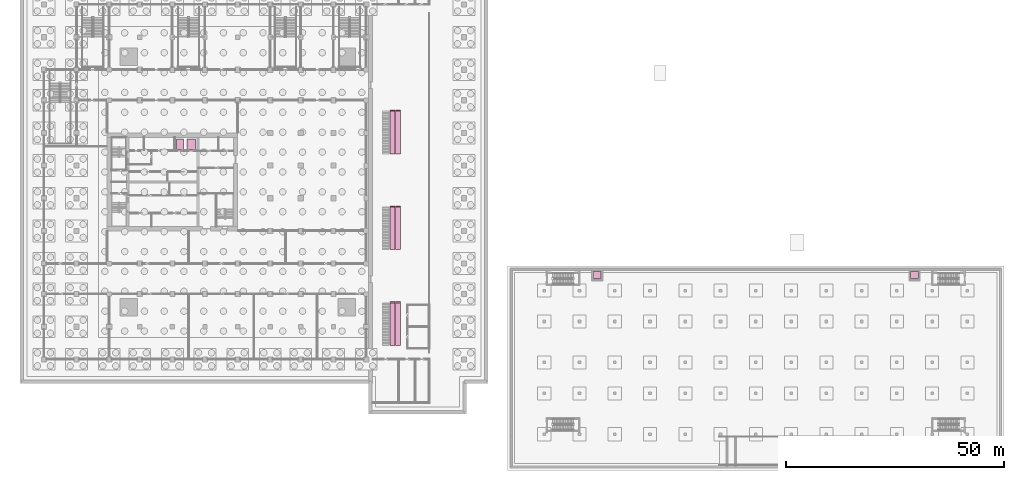
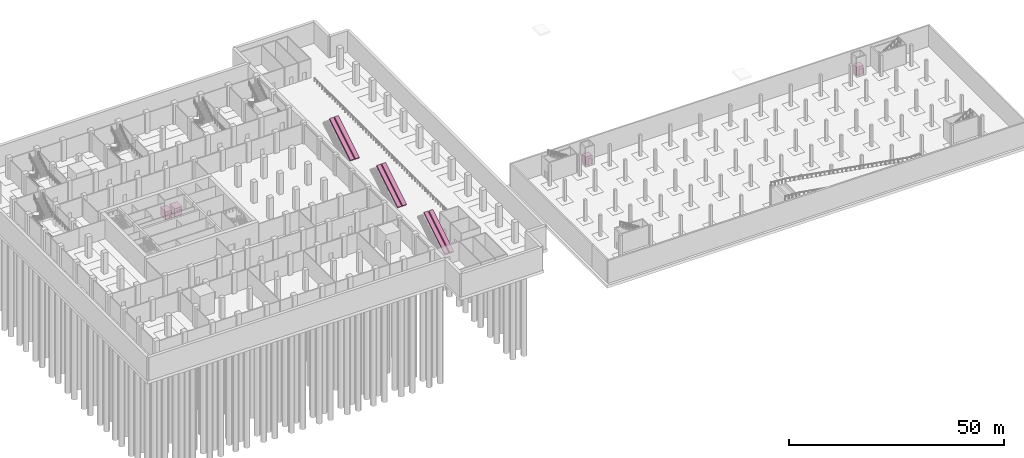
# One storey, part 39 of 39: 10 transport elements.
"""IFC4 building model written with IfcOpenShell, lengths in metres."""

import ifcopenshell
import ifcopenshell.guid

model = None  # the IFC model being written
_history = None  # IfcOwnerHistory: only IFC2X3 demands one
_inside = {}  # id of a spatial element -> (the spatial element, [elements in it])
_under = {}  # id of a project, library or spatial element -> (it, [spatial elements below it])
_declared = {}  # id of a project -> (the project, [libraries it declares])
_typed = {}  # id of a type object -> (the type object, [elements of that type])
_made_of = {}  # id of a material, layer set ... -> (it, [elements and type objects made of it])


def new_model(schema):
    """Start an empty IFC model of exactly this schema.

    Asked for "IFC4X3", IfcOpenShell would pick the latest addendum, in which some entities
    have other attributes; the version numbers below select the first issue.
    IFC2X3 requires an IfcOwnerHistory on every rooted entity: one is made here for all.
    """
    global model, _history
    if schema == "IFC4X3":
        model = ifcopenshell.file(schema_version=(4, 3, 0, 0))
    else:
        model = ifcopenshell.file(schema=schema)
    _inside.clear()
    _under.clear()
    _declared.clear()
    _typed.clear()
    _made_of.clear()
    _history = None
    if model.schema == "IFC2X3":
        org = make("IfcOrganization", Name="unknown")
        user = make(
            "IfcPersonAndOrganization",
            ThePerson=make("IfcPerson", FamilyName="unknown"),
            TheOrganization=org,
        )
        app = make(
            "IfcApplication",
            ApplicationDeveloper=org,
            Version="unknown",
            ApplicationFullName="unknown",
            ApplicationIdentifier="unknown",
        )
        _history = make(
            "IfcOwnerHistory",
            OwningUser=user,
            OwningApplication=app,
            ChangeAction="ADDED",
            CreationDate=0,
        )
    return model


def make(cls, **values):
    """One entity of the class cls with the attributes given. An attribute that is None is left unset."""
    return model.create_entity(
        cls, **{name: value for name, value in values.items() if value is not None}
    )


def rooted(cls, **values):
    """An entity with a GlobalId (a new one), such as an element, a storey or a relation."""
    return make(cls, GlobalId=ifcopenshell.guid.new(), OwnerHistory=_history, **values)


def si_unit(unit_type, name, prefix=None):
    """IfcSIUnit, for example si_unit("LENGTHUNIT", "METRE", prefix="MILLI")."""
    return make("IfcSIUnit", UnitType=unit_type, Prefix=prefix, Name=name)


def assignment(units):
    """IfcUnitAssignment: the units of a project."""
    return None if units is None else make("IfcUnitAssignment", Units=units)


def point(xyz):
    """IfcCartesianPoint."""
    return None if xyz is None else make("IfcCartesianPoint", Coordinates=xyz)


def direction(xyz):
    """IfcDirection."""
    return None if xyz is None else make("IfcDirection", DirectionRatios=xyz)


def frame(location, z_axis=None, x_axis=None):
    """IfcAxis2Placement3D, a coordinate frame: its origin and axes. An axis left out is left unset."""
    return make(
        "IfcAxis2Placement3D",
        Location=point(location),
        Axis=direction(z_axis),
        RefDirection=direction(x_axis),
    )


def frame_2d(location, x_axis=None):
    """IfcAxis2Placement2D, a coordinate frame in the plane: its origin and x axis."""
    return make(
        "IfcAxis2Placement2D", Location=point(location), RefDirection=direction(x_axis)
    )


def origin():
    """The frame at (0, 0, 0) with its axes left unset."""
    return frame((0.0, 0.0, 0.0))


def origin_2d():
    """The frame at (0, 0) in the plane with its x axis left unset."""
    return frame_2d((0.0, 0.0))


def place(relative_to, where):
    """IfcLocalPlacement: puts the frame where relative to a parent placement (None: the world)."""
    return make(
        "IfcLocalPlacement", PlacementRelTo=relative_to, RelativePlacement=where
    )


def context(
    kind, dimensions, precision=None, world=None, true_north=None, identifier=None
):
    """IfcGeometricRepresentationContext, for example the 3D "Model" context."""
    return make(
        "IfcGeometricRepresentationContext",
        ContextIdentifier=identifier,
        ContextType=kind,
        CoordinateSpaceDimension=dimensions,
        Precision=precision,
        WorldCoordinateSystem=world,
        TrueNorth=true_north,
    )


def subcontext(parent, identifier, kind, view, scale=None):
    """IfcGeometricRepresentationSubContext, for example "Body" below "Model"."""
    return make(
        "IfcGeometricRepresentationSubContext",
        ContextIdentifier=identifier,
        ContextType=kind,
        ParentContext=parent,
        TargetScale=scale,
        TargetView=view,
    )


def project(units=None, contexts=None):
    """IfcProject with its units and contexts."""
    return rooted(
        "IfcProject",
        Name="project",
        RepresentationContexts=contexts,
        UnitsInContext=assignment(units),
    )


def spatial(cls, under=None, at=None, **own):
    """A site, building, storey or space (cls), placed at a placement, below another one or the project."""
    s = rooted(cls, ObjectPlacement=at, **own)
    if under is not None:
        _under.setdefault(under.id(), (under, []))[1].append(s)
    return s


def polyline(points):
    """IfcPolyline through the points."""
    return make("IfcPolyline", Points=[point(p) for p in points])


def profile(cls, at=None, kind="AREA", **sizes):
    """A parametric profile (cls). Its sizes go by their IFC names, for example OverallWidth=200.0."""
    return make(cls, ProfileType=kind, Position=at, **sizes)


def rectangle(**sizes):
    """IfcRectangleProfileDef."""
    return profile("IfcRectangleProfileDef", **sizes)


def outline(outer, holes=None, kind="AREA"):
    """IfcArbitraryClosedProfileDef: a profile drawn as a closed curve; with holes, ...WithVoids."""
    if holes is None:
        return make("IfcArbitraryClosedProfileDef", ProfileType=kind, OuterCurve=outer)
    return make(
        "IfcArbitraryProfileDefWithVoids",
        ProfileType=kind,
        OuterCurve=outer,
        InnerCurves=holes,
    )


def extrude(swept, where, along, depth):
    """IfcExtrudedAreaSolid: the profile swept, set in the frame where, extruded along a direction by depth."""
    return make(
        "IfcExtrudedAreaSolid",
        SweptArea=swept,
        Position=where,
        ExtrudedDirection=direction(along),
        Depth=depth,
    )


def shape(context_of_items, identifier, shape_type, items):
    """IfcShapeRepresentation: the items that make up one representation, for example the "Body"."""
    return make(
        "IfcShapeRepresentation",
        ContextOfItems=context_of_items,
        RepresentationIdentifier=identifier,
        RepresentationType=shape_type,
        Items=items,
    )


def material(Name=None, Category=None):
    """IfcMaterial."""
    return make("IfcMaterial", Name=Name, Category=Category)


def made_of(thing, what):
    """Note that an element or type object is made of a material, layer set ...; save() writes the relation."""
    if what is not None:
        _made_of.setdefault(what.id(), (what, []))[1].append(thing)
    return thing


def type_object(cls, material=None, **own):
    """A type object (cls), such as IfcWallType, which elements share."""
    return made_of(rooted(cls, **own), material)


def element(
    cls,
    number,
    at=None,
    inside=None,
    cuts=None,
    type_object=None,
    material=None,
    context=None,
    identifier="Body",
    shape_type=None,
    held_by="IfcProductDefinitionShape",
    body=None,
    shapes=None,
    **own,
):
    """One element of the class cls, such as IfcWall. Its Tag is "e" and its number.

    at: its placement. inside: the storey or other place that contains it. cuts: it is an
    opening in that element (IfcRelVoidsElement). A single representation is given by context,
    identifier, shape_type and body (its items); several are given by shapes. held_by: the class
    of the entity that holds the representations. save() writes the other relations.
    """
    e = rooted(cls, Tag="e%d" % number, ObjectPlacement=at, **own)
    if body is not None:
        shapes = [shape(context, identifier, shape_type, body)]
    if shapes is not None:
        e.Representation = make(held_by, Representations=shapes)
    if inside is not None:
        _inside.setdefault(inside.id(), (inside, []))[1].append(e)
    if cuts is not None:
        rooted(
            "IfcRelVoidsElement", RelatingBuildingElement=cuts, RelatedOpeningElement=e
        )
    if type_object is not None:
        _typed.setdefault(type_object.id(), (type_object, []))[1].append(e)
    return made_of(e, material)


def aggregate(whole, parts):
    """IfcRelAggregates: a whole, such as a stair, and the parts it consists of."""
    return rooted("IfcRelAggregates", RelatingObject=whole, RelatedObjects=parts)


def save(model, path):
    """Write the relations noted so far, then the file.

    IfcRelAggregates (storeys below a building ...), IfcRelContainedInSpatialStructure (elements
    in a storey), IfcRelDefinesByType, IfcRelAssociatesMaterial and IfcRelDeclares: one each for
    every whole, place, type object, material and project.
    """
    for whole, parts in _under.values():
        aggregate(whole, parts)
    for where, things in _inside.values():
        rooted(
            "IfcRelContainedInSpatialStructure",
            RelatedElements=things,
            RelatingStructure=where,
        )
    for kind, things in _typed.values():
        rooted("IfcRelDefinesByType", RelatedObjects=things, RelatingType=kind)
    for what, things in _made_of.values():
        rooted("IfcRelAssociatesMaterial", RelatedObjects=things, RelatingMaterial=what)
    for by, libraries in _declared.values():
        rooted("IfcRelDeclares", RelatingContext=by, RelatedDefinitions=libraries)
    model.write(path)


model = new_model("IFC4")

# Units and contexts
model_context = context("Model", 3, precision=1e-05, world=origin(), true_north=direction((0.0, 1.0)))
body_context = subcontext(model_context, "Body", "Model", "MODEL_VIEW")
ifc_project = project(units=[si_unit("LENGTHUNIT", "METRE"), si_unit("AREAUNIT", "SQUARE_METRE"), si_unit("VOLUMEUNIT", "CUBIC_METRE"), si_unit("PLANEANGLEUNIT", "RADIAN"), si_unit("MASSUNIT", "GRAM", prefix="KILO")], contexts=[model_context])

# Site, building, storey
site_placement = place(None, origin())
site = spatial("IfcSite", under=ifc_project, at=site_placement, CompositionType="ELEMENT")
building_placement = place(site_placement, origin())
building = spatial("IfcBuilding", under=site, at=building_placement, Name="Tamorin Gate", CompositionType="ELEMENT")
storey_placement = place(building_placement, frame((0.0, 0.0, -12.0)))
storey = spatial("IfcBuildingStorey", under=building, at=storey_placement, Name="B2", CompositionType="ELEMENT", Elevation=-12.0)

# Transport elements
ifc_material_1 = material(Name="Steel", Category="steel")
transport_element_type_1 = type_object("IfcTransportElementType", Name="Escalator 1000", PredefinedType="ESCALATOR", material=ifc_material_1)
transport_element_1_placement = place(storey_placement, frame((95.0, 33.699951171875, 0.449951171875), z_axis=(0.0, -0.522151967348, 0.852852462619), x_axis=(1.0, 0.0, 0.0)))
element("IfcTransportElement", 1, at=transport_element_1_placement, inside=storey, type_object=transport_element_type_1, Name="Escalator B11", PredefinedType="ESCALATOR", context=body_context, shape_type="SweptSolid", body=[
    extrude(outline(polyline([(0.0, 0.0), (1.10009765625, 0.0), (1.10009765625, 11.490907580936948), (0.0, 11.490907580936948), (0.0, 0.0)])), origin(), (0.0, 0.0, -1.0), 0.449951171875),
])
transport_element_2_placement = place(storey_placement, frame((96.300048828125, 33.699951171875, 0.449951171875), z_axis=(0.0, -0.522151967348, 0.852852462619), x_axis=(1.0, 0.0, 0.0)))
element("IfcTransportElement", 2, at=transport_element_2_placement, inside=storey, type_object=transport_element_type_1, Name="Escalator B12", PredefinedType="ESCALATOR", context=body_context, shape_type="SweptSolid", body=[
    extrude(outline(polyline([(0.0, 0.0), (1.099853515625, 0.0), (1.099853515625, 11.490907580936945), (0.0, 11.490907580936945), (0.0, 0.0)])), origin(), (0.0, 0.0, -1.0), 0.449951171875),
])
transport_element_3_placement = place(storey_placement, frame((95.0, 55.699951171875, 0.449951171875), z_axis=(0.0, -0.522151967348, 0.852852462619), x_axis=(1.0, 0.0, 0.0)))
element("IfcTransportElement", 3, at=transport_element_3_placement, inside=storey, type_object=transport_element_type_1, Name="Escalator B21", PredefinedType="ESCALATOR", context=body_context, shape_type="SweptSolid", body=[
    extrude(outline(polyline([(0.0, 0.0), (1.10009765625, 0.0), (1.10009765625, 11.490907580936948), (0.0, 11.490907580936948), (0.0, 0.0)])), origin(), (0.0, 0.0, -1.0), 0.449951171875),
])
transport_element_4_placement = place(storey_placement, frame((96.300048828125, 55.699951171875, 0.449951171875), z_axis=(0.0, -0.522151967348, 0.852852462619), x_axis=(1.0, 0.0, 0.0)))
element("IfcTransportElement", 4, at=transport_element_4_placement, inside=storey, type_object=transport_element_type_1, Name="Escalator B22", PredefinedType="ESCALATOR", context=body_context, shape_type="SweptSolid", body=[
    extrude(outline(polyline([(0.0, 0.0), (1.099853515625, 0.0), (1.099853515625, 11.490907580936945), (0.0, 11.490907580936945), (0.0, 0.0)])), origin(), (0.0, 0.0, -1.0), 0.449951171875),
])
transport_element_5_placement = place(storey_placement, frame((95.0, 77.699951171875, 0.449951171875), z_axis=(0.0, -0.522151967348, 0.852852462619), x_axis=(1.0, 0.0, 0.0)))
element("IfcTransportElement", 5, at=transport_element_5_placement, inside=storey, type_object=transport_element_type_1, Name="Escalator B31", PredefinedType="ESCALATOR", context=body_context, shape_type="SweptSolid", body=[
    extrude(outline(polyline([(0.0, 0.0), (1.10009765625, 0.0), (1.10009765625, 11.490907580936948), (0.0, 11.490907580936948), (0.0, 0.0)])), origin(), (0.0, 0.0, -1.0), 0.449951171875),
])
transport_element_6_placement = place(storey_placement, frame((96.300048828125, 77.699951171875, 0.449951171875), z_axis=(0.0, -0.522151967348, 0.852852462619), x_axis=(1.0, 0.0, 0.0)))
element("IfcTransportElement", 6, at=transport_element_6_placement, inside=storey, type_object=transport_element_type_1, Name="Escalator B32", PredefinedType="ESCALATOR", context=body_context, shape_type="SweptSolid", body=[
    extrude(outline(polyline([(0.0, 0.0), (1.099853515625, 0.0), (1.099853515625, 11.490907580936945), (0.0, 11.490907580936945), (0.0, 0.0)])), origin(), (0.0, 0.0, -1.0), 0.449951171875),
])
ifc_material_2 = material(Name="Stainless steel lift car", Category="steel")
transport_element_type_2 = type_object("IfcTransportElementType", Name="Lift car FF 1600 x 2400", PredefinedType="ELEVATOR", material=ifc_material_2)
transport_element_7_placement = place(storey_placement, frame((46.699951171875, 79.89990234375, 0.0), z_axis=(0.0, 0.0, 1.0), x_axis=(1.0, 0.0, 0.0)))
element("IfcTransportElement", 7, at=transport_element_7_placement, inside=storey, type_object=transport_element_type_2, Name="SV1 lift car", PredefinedType="ELEVATOR", context=body_context, shape_type="SweptSolid", body=[
    extrude(rectangle(XDim=1.60009765625, YDim=2.39990234375, at=origin_2d()), origin(), (0.0, 0.0, 1.0), 2.39990234375),
])
transport_element_type_3 = type_object("IfcTransportElementType", Name="Lift car SV 2000 x 2400", PredefinedType="ELEVATOR", material=ifc_material_2)
transport_element_8_placement = place(storey_placement, frame((49.300048828125, 79.89990234375, 0.0), z_axis=(0.0, 0.0, 1.0), x_axis=(1.0, 0.0, 0.0)))
element("IfcTransportElement", 8, at=transport_element_8_placement, inside=storey, type_object=transport_element_type_3, Name="SV2 lift car", PredefinedType="ELEVATOR", context=body_context, shape_type="SweptSolid", body=[
    extrude(rectangle(XDim=2.0, YDim=2.39990234375, at=origin_2d()), origin(), (0.0, 0.0, 1.0), 2.39990234375),
])
ifc_material_3 = material(Name="Stainless steel", Category="steel")
transport_element_type_4 = type_object("IfcTransportElementType", Name="Passenger lift 1800x1600 1275 kg", PredefinedType="ELEVATOR", material=ifc_material_3)
for number, where, z_axis, x_axis, name in (
    (9, (142.550048828125, 49.85009765625, 0.0), (0.0, 0.0, 1.0), (1.0, 0.0, 0.0), "Lift LP1"),
    (10, (215.449951171875, 49.85009765625, 0.0), (0.0, 0.0, 1.0), (1.0, 0.0, 0.0), "Lift LP2"),
):
    element("IfcTransportElement", number, at=place(storey_placement, frame(where, z_axis=z_axis, x_axis=x_axis)), inside=storey, type_object=transport_element_type_4, Name=name, PredefinedType="ELEVATOR", context=body_context, shape_type="SweptSolid", body=[
        extrude(rectangle(XDim=1.800048828125, YDim=1.60009765625, at=origin_2d()), origin(), (0.0, 0.0, 1.0), 2.39990234375),
    ])

save(model, "model.ifc")
